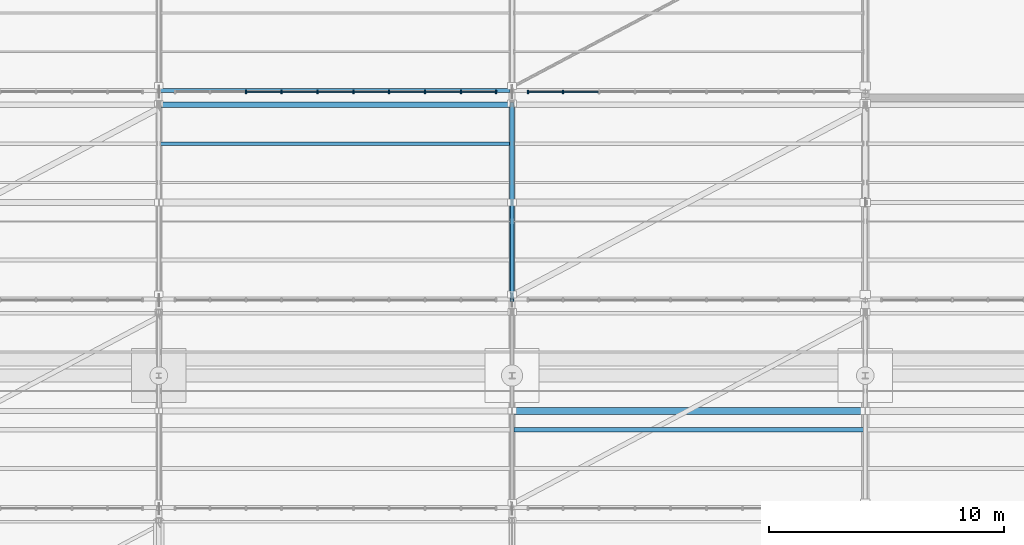
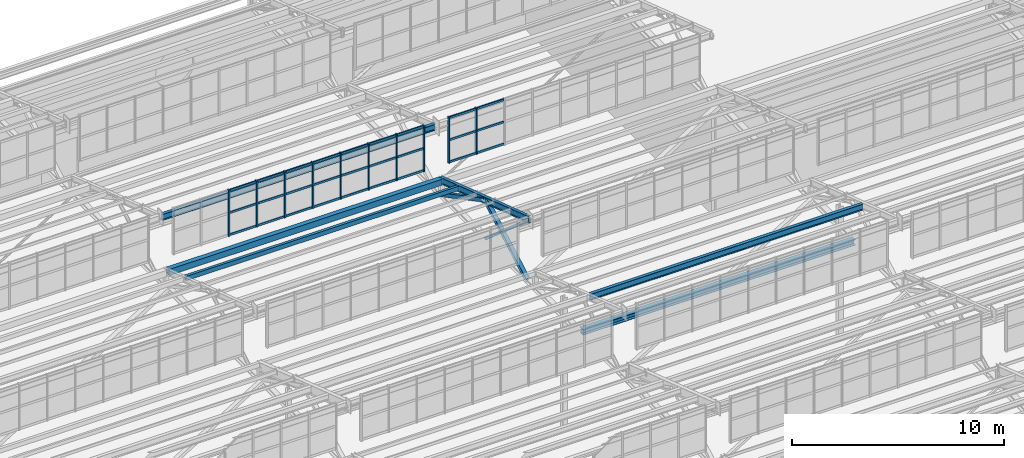
# One storey, part 73 of 285: 41 members, 5 beams, 2 elements without a shape of their own.
"""IFC4 building model written with IfcOpenShell, lengths in metres."""

from ifc_helpers import new_model, si_unit, direction, frame, origin, origin_2d, place, context, subcontext, project, spatial, rectangle, hollow_rectangle, i_section, extrude, material, material_profile, profile_set, type_object, element, aggregate, save


model = new_model("IFC4")

# Units and contexts
model_context = context("Model", 3, precision=1e-05, world=origin(), true_north=direction((0.0, 1.0)))
body_context = subcontext(model_context, "Body", "Model", "MODEL_VIEW")
ifc_project = project(units=[si_unit("LENGTHUNIT", "METRE"), si_unit("AREAUNIT", "SQUARE_METRE"), si_unit("VOLUMEUNIT", "CUBIC_METRE"), si_unit("PLANEANGLEUNIT", "RADIAN"), si_unit("MASSUNIT", "GRAM", prefix="KILO")], contexts=[model_context])

# Site, building, storey
site_placement = place(None, origin())
site = spatial("IfcSite", under=ifc_project, at=site_placement, CompositionType="ELEMENT")
building_placement = place(site_placement, origin())
building = spatial("IfcBuilding", under=site, at=building_placement, Name="Solanera Park Tramway Depot", CompositionType="ELEMENT")
storey_placement = place(building_placement, origin())
storey = spatial("IfcBuildingStorey", under=building, at=storey_placement, Name="L00", CompositionType="ELEMENT", Elevation=0.0)

# Curtain wall, members
ifc_material_1 = material(Name="Bronze-anodised thermally broken aluminium curtain wall", Category="aluminium")
curtain_wall_type = type_object("IfcCurtainWallType", Name="Sawtooth Clerestory Monitor Curtain Wall", PredefinedType="NOTDEFINED", material=ifc_material_1)
curtain_wall_1_placement = place(storey_placement, origin())
curtain_wall_1 = element("IfcCurtainWall", 1, at=curtain_wall_1_placement, inside=storey, type_object=curtain_wall_type, Name="L00 Sawtooth Clerestory Monitor Curtain Wall #061", PredefinedType="NOTDEFINED")
ifc_material_2 = material(Name="Bronze-anodised structural aluminium 6063-T6", Category="aluminium")
ifc_material_profile_1 = material_profile(ifc_material_2, rectangle(XDim=0.06494140625, YDim=0.14990234375, at=origin_2d()), Name="Curtain Wall Mullion 65x150")
ifc_profile_set_1 = profile_set([ifc_material_profile_1], Name="Bronze-anodised structural aluminium 6063-T6")
member_type_1 = type_object("IfcMemberType", Name="Curtain Wall Mullion 65x150", PredefinedType="MULLION", material=ifc_profile_set_1)
member_1_placement = place(storey_placement, frame((33.6943359375, 126.550048828125, 7.75), z_axis=(0.0, 0.0, 1.0), x_axis=(1.0, 0.0, 0.0)))
member_1 = element("IfcMember", 2, at=member_1_placement, type_object=member_type_1, Name="CW-L00-061 Mullion 3", PredefinedType="MULLION", context=body_context, shape_type="SweptSolid", body=[
    extrude(rectangle(XDim=0.06494140625, YDim=0.14990234375, at=origin_2d()), origin(), (0.0, 0.0, 1.0), 2.6611328125),
])
member_2_placement = place(storey_placement, frame((35.216796875, 126.550048828125, 7.75), z_axis=(0.0, 0.0, 1.0), x_axis=(1.0, 0.0, 0.0)))
member_2 = element("IfcMember", 3, at=member_2_placement, type_object=member_type_1, Name="CW-L00-061 Mullion 4", PredefinedType="MULLION", context=body_context, shape_type="SweptSolid", body=[
    extrude(rectangle(XDim=0.06494140625, YDim=0.14990234375, at=origin_2d()), origin(), (0.0, 0.0, 1.0), 2.6611328125),
])
member_3_placement = place(storey_placement, frame((36.739013671875, 126.550048828125, 7.75), z_axis=(0.0, 0.0, 1.0), x_axis=(1.0, 0.0, 0.0)))
member_3 = element("IfcMember", 4, at=member_3_placement, type_object=member_type_1, Name="CW-L00-061 Mullion 5", PredefinedType="MULLION", context=body_context, shape_type="SweptSolid", body=[
    extrude(rectangle(XDim=0.06494140625, YDim=0.14990234375, at=origin_2d()), origin(), (0.0, 0.0, 1.0), 2.6611328125),
])
member_4_placement = place(storey_placement, frame((38.260986328125, 126.550048828125, 7.75), z_axis=(0.0, 0.0, 1.0), x_axis=(1.0, 0.0, 0.0)))
member_4 = element("IfcMember", 5, at=member_4_placement, type_object=member_type_1, Name="CW-L00-061 Mullion 6", PredefinedType="MULLION", context=body_context, shape_type="SweptSolid", body=[
    extrude(rectangle(XDim=0.06494140625, YDim=0.14990234375, at=origin_2d()), origin(), (0.0, 0.0, 1.0), 2.6611328125),
])
member_5_placement = place(storey_placement, frame((39.783203125, 126.550048828125, 7.75), z_axis=(0.0, 0.0, 1.0), x_axis=(1.0, 0.0, 0.0)))
member_5 = element("IfcMember", 6, at=member_5_placement, type_object=member_type_1, Name="CW-L00-061 Mullion 7", PredefinedType="MULLION", context=body_context, shape_type="SweptSolid", body=[
    extrude(rectangle(XDim=0.06494140625, YDim=0.14990234375, at=origin_2d()), origin(), (0.0, 0.0, 1.0), 2.6611328125),
])
member_6_placement = place(storey_placement, frame((41.3056640625, 126.550048828125, 7.75), z_axis=(0.0, 0.0, 1.0), x_axis=(1.0, 0.0, 0.0)))
member_6 = element("IfcMember", 7, at=member_6_placement, type_object=member_type_1, Name="CW-L00-061 Mullion 8", PredefinedType="MULLION", context=body_context, shape_type="SweptSolid", body=[
    extrude(rectangle(XDim=0.06494140625, YDim=0.14990234375, at=origin_2d()), origin(), (0.0, 0.0, 1.0), 2.6611328125),
])
member_7_placement = place(storey_placement, frame((42.827880859375, 126.550048828125, 7.75), z_axis=(0.0, 0.0, 1.0), x_axis=(1.0, 0.0, 0.0)))
member_7 = element("IfcMember", 8, at=member_7_placement, type_object=member_type_1, Name="CW-L00-061 Mullion 9", PredefinedType="MULLION", context=body_context, shape_type="SweptSolid", body=[
    extrude(rectangle(XDim=0.06494140625, YDim=0.14990234375, at=origin_2d()), origin(), (0.0, 0.0, 1.0), 2.6611328125),
])
member_8_placement = place(storey_placement, frame((44.3173828125, 126.550048828125, 7.75), z_axis=(0.0, 0.0, 1.0), x_axis=(1.0, 0.0, 0.0)))
member_8 = element("IfcMember", 9, at=member_8_placement, type_object=member_type_1, Name="CW-L00-061 Mullion 10", PredefinedType="MULLION", context=body_context, shape_type="SweptSolid", body=[
    extrude(rectangle(XDim=0.06494140625, YDim=0.14990234375, at=origin_2d()), origin(), (0.0, 0.0, 1.0), 2.6611328125),
])

curtain_wall_2_placement = place(storey_placement, origin())
curtain_wall_2 = element("IfcCurtainWall", 10, at=curtain_wall_2_placement, inside=storey, type_object=curtain_wall_type, Name="L00 Sawtooth Clerestory Monitor Curtain Wall #062", PredefinedType="NOTDEFINED")
member_9_placement = place(storey_placement, frame((45.6826171875, 126.550048828125, 7.75), z_axis=(0.0, 0.0, 1.0), x_axis=(1.0, 0.0, 0.0)))
member_9 = element("IfcMember", 11, at=member_9_placement, type_object=member_type_1, Name="CW-L00-062 Mullion 1", PredefinedType="MULLION", context=body_context, shape_type="SweptSolid", body=[
    extrude(rectangle(XDim=0.06494140625, YDim=0.14990234375, at=origin_2d()), origin(), (0.0, 0.0, 1.0), 2.6611328125),
])
member_10_placement = place(storey_placement, frame((47.172119140625, 126.550048828125, 7.75), z_axis=(0.0, 0.0, 1.0), x_axis=(1.0, 0.0, 0.0)))
member_10 = element("IfcMember", 12, at=member_10_placement, type_object=member_type_1, Name="CW-L00-062 Mullion 2", PredefinedType="MULLION", context=body_context, shape_type="SweptSolid", body=[
    extrude(rectangle(XDim=0.06494140625, YDim=0.14990234375, at=origin_2d()), origin(), (0.0, 0.0, 1.0), 2.6611328125),
])

# Member
ifc_material_3 = material(Name="Bronze-anodised structural aluminium 6063-T6", Category="aluminium")
ifc_material_profile_2 = material_profile(ifc_material_3, rectangle(XDim=0.06494140625, YDim=0.1201171875, at=origin_2d()), Name="Curtain Wall Transom 65x120")
ifc_profile_set_2 = profile_set([ifc_material_profile_2], Name="Bronze-anodised structural aluminium 6063-T6")
member_type_2 = type_object("IfcMemberType", Name="Curtain Wall Transom 65x120", PredefinedType="USERDEFINED", material=ifc_profile_set_2)
member_11_placement = place(storey_placement, frame((33.722412109375, 126.550048828125, 7.81005859375), z_axis=(1.0, 0.0, 0.0), x_axis=(0.0, 1.0, 0.0)))
member_11 = element("IfcMember", 13, at=member_11_placement, type_object=member_type_2, Name="CW-L00-061 Transom R1.C3", ObjectType="TRANSOM", PredefinedType="USERDEFINED", context=body_context, shape_type="SweptSolid", body=[
    extrude(rectangle(XDim=0.06494140625, YDim=0.1201171875, at=origin_2d()), origin(), (0.0, 0.0, 1.0), 1.46630859375),
])

member_12_placement = place(storey_placement, frame((35.24462890625, 126.550048828125, 7.81005859375), z_axis=(1.0, 0.0, 0.0), x_axis=(0.0, 1.0, 0.0)))
member_12 = element("IfcMember", 14, at=member_12_placement, type_object=member_type_2, Name="CW-L00-061 Transom R1.C4", ObjectType="TRANSOM", PredefinedType="USERDEFINED", context=body_context, shape_type="SweptSolid", body=[
    extrude(rectangle(XDim=0.06494140625, YDim=0.1201171875, at=origin_2d()), origin(), (0.0, 0.0, 1.0), 1.46630859375),
])

member_13_placement = place(storey_placement, frame((36.766845703125, 126.550048828125, 7.81005859375), z_axis=(1.0, 0.0, 0.0), x_axis=(0.0, 1.0, 0.0)))
member_13 = element("IfcMember", 15, at=member_13_placement, type_object=member_type_2, Name="CW-L00-061 Transom R1.C5", ObjectType="TRANSOM", PredefinedType="USERDEFINED", context=body_context, shape_type="SweptSolid", body=[
    extrude(rectangle(XDim=0.06494140625, YDim=0.1201171875, at=origin_2d()), origin(), (0.0, 0.0, 1.0), 1.46630859375),
])

member_14_placement = place(storey_placement, frame((38.2890625, 126.550048828125, 7.81005859375), z_axis=(1.0, 0.0, 0.0), x_axis=(0.0, 1.0, 0.0)))
member_14 = element("IfcMember", 16, at=member_14_placement, type_object=member_type_2, Name="CW-L00-061 Transom R1.C6", ObjectType="TRANSOM", PredefinedType="USERDEFINED", context=body_context, shape_type="SweptSolid", body=[
    extrude(rectangle(XDim=0.06494140625, YDim=0.1201171875, at=origin_2d()), origin(), (0.0, 0.0, 1.0), 1.46630859375),
])

member_15_placement = place(storey_placement, frame((39.811279296875, 126.550048828125, 7.81005859375), z_axis=(1.0, 0.0, 0.0), x_axis=(0.0, 1.0, 0.0)))
member_15 = element("IfcMember", 17, at=member_15_placement, type_object=member_type_2, Name="CW-L00-061 Transom R1.C7", ObjectType="TRANSOM", PredefinedType="USERDEFINED", context=body_context, shape_type="SweptSolid", body=[
    extrude(rectangle(XDim=0.06494140625, YDim=0.1201171875, at=origin_2d()), origin(), (0.0, 0.0, 1.0), 1.46630859375),
])

member_16_placement = place(storey_placement, frame((41.33349609375, 126.550048828125, 7.81005859375), z_axis=(1.0, 0.0, 0.0), x_axis=(0.0, 1.0, 0.0)))
member_16 = element("IfcMember", 18, at=member_16_placement, type_object=member_type_2, Name="CW-L00-061 Transom R1.C8", ObjectType="TRANSOM", PredefinedType="USERDEFINED", context=body_context, shape_type="SweptSolid", body=[
    extrude(rectangle(XDim=0.06494140625, YDim=0.1201171875, at=origin_2d()), origin(), (0.0, 0.0, 1.0), 1.46630859375),
])

member_17_placement = place(storey_placement, frame((42.855712890625, 126.550048828125, 7.81005859375), z_axis=(1.0, 0.0, 0.0), x_axis=(0.0, 1.0, 0.0)))
member_17 = element("IfcMember", 19, at=member_17_placement, type_object=member_type_2, Name="CW-L00-061 Transom R1.C9", ObjectType="TRANSOM", PredefinedType="USERDEFINED", context=body_context, shape_type="SweptSolid", body=[
    extrude(rectangle(XDim=0.06494140625, YDim=0.1201171875, at=origin_2d()), origin(), (0.0, 0.0, 1.0), 1.433837890625),
])

member_18_placement = place(storey_placement, frame((33.722412109375, 126.550048828125, 9.08056640625), z_axis=(1.0, 0.0, 0.0), x_axis=(0.0, 1.0, 0.0)))
member_18 = element("IfcMember", 20, at=member_18_placement, type_object=member_type_2, Name="CW-L00-061 Transom R2.C3", ObjectType="TRANSOM", PredefinedType="USERDEFINED", context=body_context, shape_type="SweptSolid", body=[
    extrude(rectangle(XDim=0.06494140625, YDim=0.1201171875, at=origin_2d()), origin(), (0.0, 0.0, 1.0), 1.46630859375),
])

member_19_placement = place(storey_placement, frame((35.24462890625, 126.550048828125, 9.08056640625), z_axis=(1.0, 0.0, 0.0), x_axis=(0.0, 1.0, 0.0)))
member_19 = element("IfcMember", 21, at=member_19_placement, type_object=member_type_2, Name="CW-L00-061 Transom R2.C4", ObjectType="TRANSOM", PredefinedType="USERDEFINED", context=body_context, shape_type="SweptSolid", body=[
    extrude(rectangle(XDim=0.06494140625, YDim=0.1201171875, at=origin_2d()), origin(), (0.0, 0.0, 1.0), 1.46630859375),
])

member_20_placement = place(storey_placement, frame((36.766845703125, 126.550048828125, 9.08056640625), z_axis=(1.0, 0.0, 0.0), x_axis=(0.0, 1.0, 0.0)))
member_20 = element("IfcMember", 22, at=member_20_placement, type_object=member_type_2, Name="CW-L00-061 Transom R2.C5", ObjectType="TRANSOM", PredefinedType="USERDEFINED", context=body_context, shape_type="SweptSolid", body=[
    extrude(rectangle(XDim=0.06494140625, YDim=0.1201171875, at=origin_2d()), origin(), (0.0, 0.0, 1.0), 1.46630859375),
])

member_21_placement = place(storey_placement, frame((38.2890625, 126.550048828125, 9.08056640625), z_axis=(1.0, 0.0, 0.0), x_axis=(0.0, 1.0, 0.0)))
member_21 = element("IfcMember", 23, at=member_21_placement, type_object=member_type_2, Name="CW-L00-061 Transom R2.C6", ObjectType="TRANSOM", PredefinedType="USERDEFINED", context=body_context, shape_type="SweptSolid", body=[
    extrude(rectangle(XDim=0.06494140625, YDim=0.1201171875, at=origin_2d()), origin(), (0.0, 0.0, 1.0), 1.46630859375),
])

member_22_placement = place(storey_placement, frame((39.811279296875, 126.550048828125, 9.08056640625), z_axis=(1.0, 0.0, 0.0), x_axis=(0.0, 1.0, 0.0)))
member_22 = element("IfcMember", 24, at=member_22_placement, type_object=member_type_2, Name="CW-L00-061 Transom R2.C7", ObjectType="TRANSOM", PredefinedType="USERDEFINED", context=body_context, shape_type="SweptSolid", body=[
    extrude(rectangle(XDim=0.06494140625, YDim=0.1201171875, at=origin_2d()), origin(), (0.0, 0.0, 1.0), 1.46630859375),
])

member_23_placement = place(storey_placement, frame((41.33349609375, 126.550048828125, 9.08056640625), z_axis=(1.0, 0.0, 0.0), x_axis=(0.0, 1.0, 0.0)))
member_23 = element("IfcMember", 25, at=member_23_placement, type_object=member_type_2, Name="CW-L00-061 Transom R2.C8", ObjectType="TRANSOM", PredefinedType="USERDEFINED", context=body_context, shape_type="SweptSolid", body=[
    extrude(rectangle(XDim=0.06494140625, YDim=0.1201171875, at=origin_2d()), origin(), (0.0, 0.0, 1.0), 1.46630859375),
])

member_24_placement = place(storey_placement, frame((42.855712890625, 126.550048828125, 9.08056640625), z_axis=(1.0, 0.0, 0.0), x_axis=(0.0, 1.0, 0.0)))
member_24 = element("IfcMember", 26, at=member_24_placement, type_object=member_type_2, Name="CW-L00-061 Transom R2.C9", ObjectType="TRANSOM", PredefinedType="USERDEFINED", context=body_context, shape_type="SweptSolid", body=[
    extrude(rectangle(XDim=0.06494140625, YDim=0.1201171875, at=origin_2d()), origin(), (0.0, 0.0, 1.0), 1.433837890625),
])

member_25_placement = place(storey_placement, frame((33.722412109375, 126.550048828125, 10.351318359375), z_axis=(1.0, 0.0, 0.0), x_axis=(0.0, 1.0, 0.0)))
member_25 = element("IfcMember", 27, at=member_25_placement, type_object=member_type_2, Name="CW-L00-061 Transom R3.C3", ObjectType="TRANSOM", PredefinedType="USERDEFINED", context=body_context, shape_type="SweptSolid", body=[
    extrude(rectangle(XDim=0.06494140625, YDim=0.1201171875, at=origin_2d()), origin(), (0.0, 0.0, 1.0), 1.46630859375),
])

member_26_placement = place(storey_placement, frame((35.24462890625, 126.550048828125, 10.351318359375), z_axis=(1.0, 0.0, 0.0), x_axis=(0.0, 1.0, 0.0)))
member_26 = element("IfcMember", 28, at=member_26_placement, type_object=member_type_2, Name="CW-L00-061 Transom R3.C4", ObjectType="TRANSOM", PredefinedType="USERDEFINED", context=body_context, shape_type="SweptSolid", body=[
    extrude(rectangle(XDim=0.06494140625, YDim=0.1201171875, at=origin_2d()), origin(), (0.0, 0.0, 1.0), 1.46630859375),
])

member_27_placement = place(storey_placement, frame((36.766845703125, 126.550048828125, 10.351318359375), z_axis=(1.0, 0.0, 0.0), x_axis=(0.0, 1.0, 0.0)))
member_27 = element("IfcMember", 29, at=member_27_placement, type_object=member_type_2, Name="CW-L00-061 Transom R3.C5", ObjectType="TRANSOM", PredefinedType="USERDEFINED", context=body_context, shape_type="SweptSolid", body=[
    extrude(rectangle(XDim=0.06494140625, YDim=0.1201171875, at=origin_2d()), origin(), (0.0, 0.0, 1.0), 1.46630859375),
])

member_28_placement = place(storey_placement, frame((38.2890625, 126.550048828125, 10.351318359375), z_axis=(1.0, 0.0, 0.0), x_axis=(0.0, 1.0, 0.0)))
member_28 = element("IfcMember", 30, at=member_28_placement, type_object=member_type_2, Name="CW-L00-061 Transom R3.C6", ObjectType="TRANSOM", PredefinedType="USERDEFINED", context=body_context, shape_type="SweptSolid", body=[
    extrude(rectangle(XDim=0.06494140625, YDim=0.1201171875, at=origin_2d()), origin(), (0.0, 0.0, 1.0), 1.46630859375),
])

member_29_placement = place(storey_placement, frame((39.811279296875, 126.550048828125, 10.351318359375), z_axis=(1.0, 0.0, 0.0), x_axis=(0.0, 1.0, 0.0)))
member_29 = element("IfcMember", 31, at=member_29_placement, type_object=member_type_2, Name="CW-L00-061 Transom R3.C7", ObjectType="TRANSOM", PredefinedType="USERDEFINED", context=body_context, shape_type="SweptSolid", body=[
    extrude(rectangle(XDim=0.06494140625, YDim=0.1201171875, at=origin_2d()), origin(), (0.0, 0.0, 1.0), 1.46630859375),
])

member_30_placement = place(storey_placement, frame((41.33349609375, 126.550048828125, 10.351318359375), z_axis=(1.0, 0.0, 0.0), x_axis=(0.0, 1.0, 0.0)))
member_30 = element("IfcMember", 32, at=member_30_placement, type_object=member_type_2, Name="CW-L00-061 Transom R3.C8", ObjectType="TRANSOM", PredefinedType="USERDEFINED", context=body_context, shape_type="SweptSolid", body=[
    extrude(rectangle(XDim=0.06494140625, YDim=0.1201171875, at=origin_2d()), origin(), (0.0, 0.0, 1.0), 1.46630859375),
])

member_31_placement = place(storey_placement, frame((42.855712890625, 126.550048828125, 10.351318359375), z_axis=(1.0, 0.0, 0.0), x_axis=(0.0, 1.0, 0.0)))
member_31 = element("IfcMember", 33, at=member_31_placement, type_object=member_type_2, Name="CW-L00-061 Transom R3.C9", ObjectType="TRANSOM", PredefinedType="USERDEFINED", context=body_context, shape_type="SweptSolid", body=[
    extrude(rectangle(XDim=0.06494140625, YDim=0.1201171875, at=origin_2d()), origin(), (0.0, 0.0, 1.0), 1.433837890625),
])

aggregate(curtain_wall_1, [member_1, member_2, member_3, member_4, member_5, member_6, member_7, member_8, member_11, member_12, member_13, member_14, member_15, member_16, member_17, member_18, member_19, member_20, member_21, member_22, member_23, member_24, member_25, member_26, member_27, member_28, member_29, member_30, member_31])

member_32_placement = place(storey_placement, frame((45.71044921875, 126.550048828125, 7.81005859375), z_axis=(1.0, 0.0, 0.0), x_axis=(0.0, 1.0, 0.0)))
member_32 = element("IfcMember", 34, at=member_32_placement, type_object=member_type_2, Name="CW-L00-062 Transom R1.C1", ObjectType="TRANSOM", PredefinedType="USERDEFINED", context=body_context, shape_type="SweptSolid", body=[
    extrude(rectangle(XDim=0.06494140625, YDim=0.1201171875, at=origin_2d()), origin(), (0.0, 0.0, 1.0), 1.433837890625),
])

member_33_placement = place(storey_placement, frame((47.2001953125, 126.550048828125, 7.81005859375), z_axis=(1.0, 0.0, 0.0), x_axis=(0.0, 1.0, 0.0)))
member_33 = element("IfcMember", 35, at=member_33_placement, type_object=member_type_2, Name="CW-L00-062 Transom R1.C2", ObjectType="TRANSOM", PredefinedType="USERDEFINED", context=body_context, shape_type="SweptSolid", body=[
    extrude(rectangle(XDim=0.06494140625, YDim=0.1201171875, at=origin_2d()), origin(), (0.0, 0.0, 1.0), 1.46630859375),
])

member_34_placement = place(storey_placement, frame((45.71044921875, 126.550048828125, 9.08056640625), z_axis=(1.0, 0.0, 0.0), x_axis=(0.0, 1.0, 0.0)))
member_34 = element("IfcMember", 36, at=member_34_placement, type_object=member_type_2, Name="CW-L00-062 Transom R2.C1", ObjectType="TRANSOM", PredefinedType="USERDEFINED", context=body_context, shape_type="SweptSolid", body=[
    extrude(rectangle(XDim=0.06494140625, YDim=0.1201171875, at=origin_2d()), origin(), (0.0, 0.0, 1.0), 1.433837890625),
])

member_35_placement = place(storey_placement, frame((47.2001953125, 126.550048828125, 9.08056640625), z_axis=(1.0, 0.0, 0.0), x_axis=(0.0, 1.0, 0.0)))
member_35 = element("IfcMember", 37, at=member_35_placement, type_object=member_type_2, Name="CW-L00-062 Transom R2.C2", ObjectType="TRANSOM", PredefinedType="USERDEFINED", context=body_context, shape_type="SweptSolid", body=[
    extrude(rectangle(XDim=0.06494140625, YDim=0.1201171875, at=origin_2d()), origin(), (0.0, 0.0, 1.0), 1.46630859375),
])

member_36_placement = place(storey_placement, frame((45.71044921875, 126.550048828125, 10.351318359375), z_axis=(1.0, 0.0, 0.0), x_axis=(0.0, 1.0, 0.0)))
member_36 = element("IfcMember", 38, at=member_36_placement, type_object=member_type_2, Name="CW-L00-062 Transom R3.C1", ObjectType="TRANSOM", PredefinedType="USERDEFINED", context=body_context, shape_type="SweptSolid", body=[
    extrude(rectangle(XDim=0.06494140625, YDim=0.1201171875, at=origin_2d()), origin(), (0.0, 0.0, 1.0), 1.433837890625),
])

member_37_placement = place(storey_placement, frame((47.2001953125, 126.550048828125, 10.351318359375), z_axis=(1.0, 0.0, 0.0), x_axis=(0.0, 1.0, 0.0)))
member_37 = element("IfcMember", 39, at=member_37_placement, type_object=member_type_2, Name="CW-L00-062 Transom R3.C2", ObjectType="TRANSOM", PredefinedType="USERDEFINED", context=body_context, shape_type="SweptSolid", body=[
    extrude(rectangle(XDim=0.06494140625, YDim=0.1201171875, at=origin_2d()), origin(), (0.0, 0.0, 1.0), 1.46630859375),
])

aggregate(curtain_wall_2, [member_9, member_10, member_32, member_33, member_34, member_35, member_36, member_37])

# Members
ifc_material_4 = material(Name="Steel AS/NZS 3679.1 Grade 350", Category="steel")
ifc_material_profile_3 = material_profile(ifc_material_4, i_section(OverallWidth=0.205078125, OverallDepth=0.209716796875, WebThickness=0.00927734375, FlangeThickness=0.01416015625, at=origin_2d()), Name="200UC59.5")
ifc_profile_set_3 = profile_set([ifc_material_profile_3], Name="Steel AS/NZS 3679.1 Grade 350")
member_type_3 = type_object("IfcMemberType", Name="Roof Gantry Compression Strut 200UC59.5", PredefinedType="STRUT", material=ifc_profile_set_3)
member_38_placement = place(storey_placement, frame((45.0, 117.949951171875, 6.5), z_axis=(0.0, 0.869215843308, 0.494432824297), x_axis=(-1.0, 0.0, 0.0)))
element("IfcMember", 40, at=member_38_placement, inside=storey, type_object=member_type_3, Name="Sawtooth ROOF TRUSS Strut 200UC59.5 #0331", PredefinedType="STRUT", context=body_context, shape_type="SweptSolid", body=[
    extrude(i_section(OverallWidth=0.205078125, OverallDepth=0.209716796875, WebThickness=0.00927734375, FlangeThickness=0.01416015625, at=origin_2d()), origin(), (0.0, 0.0, 1.0), 4.487060546875),
])
ifc_material_5 = material(Name="Steel AS/NZS 3679.1 Grade 350", Category="steel")
ifc_material_profile_4 = material_profile(ifc_material_5, i_section(OverallWidth=0.306884765625, OverallDepth=0.314697265625, WebThickness=0.011962890625, FlangeThickness=0.018798828125, at=origin_2d()), Name="310UC118")
ifc_profile_set_4 = profile_set([ifc_material_profile_4], Name="Steel AS/NZS 3679.1 Grade 350")
member_type_4 = type_object("IfcMemberType", Name="Secondary Truss Chord 310UC118", PredefinedType="CHORD", material=ifc_profile_set_4)
member_39_placement = place(storey_placement, frame((45.087890625, 113.0, 6.5), z_axis=(1.0, 0.0, 0.0), x_axis=(0.0, 1.0, 0.0)))
element("IfcMember", 41, at=member_39_placement, inside=storey, type_object=member_type_4, Name="Sawtooth Longitudinal Tie Chord 310UC118 #0310", PredefinedType="CHORD", context=body_context, shape_type="SweptSolid", body=[
    extrude(i_section(OverallWidth=0.306884765625, OverallDepth=0.314697265625, WebThickness=0.011962890625, FlangeThickness=0.018798828125, at=origin_2d()), origin(), (0.0, 0.0, 1.0), 14.82421875),
])

# Beams
ifc_material_6 = material(Name="Steel AS/NZS 3679.1 Grade 350", Category="steel")
ifc_material_profile_5 = material_profile(ifc_material_6, i_section(OverallWidth=0.17138671875, OverallDepth=0.355712890625, WebThickness=0.00732421875, FlangeThickness=0.011474609375, at=origin_2d()), Name="360UB50.7")
ifc_profile_set_5 = profile_set([ifc_material_profile_5], Name="Steel AS/NZS 3679.1 Grade 350")
beam_type_1 = type_object("IfcBeamType", Name="Steel Beam 360UB50.7", PredefinedType="BEAM", material=ifc_profile_set_5)
beam_1_placement = place(storey_placement, frame((45.0, 117.699951171875, 10.10693359375), z_axis=(0.0, 0.948322229475, -0.317308917435), x_axis=(-1.0, 0.0, 0.0)))
element("IfcBeam", 42, at=beam_1_placement, inside=storey, type_object=beam_type_1, Name="Sawtooth ROOF TRUSS Top Rafter 360UB50.7 B08-T4", PredefinedType="BEAM", context=body_context, shape_type="SweptSolid", body=[
    extrude(i_section(OverallWidth=0.17138671875, OverallDepth=0.355712890625, WebThickness=0.00732421875, FlangeThickness=0.011474609375, at=origin_2d()), origin(), (0.0, 0.0, 1.0), 8.80517578125),
])
ifc_material_7 = material(Name="Steel AS/NZS 1163 Grade C350L0", Category="steel")
ifc_material_profile_6 = material_profile(ifc_material_7, hollow_rectangle(XDim=0.14990234375, YDim=0.25, WallThickness=0.008056640625, at=origin_2d()), Name="250x150x8.0 RHS")
ifc_profile_set_6 = profile_set([ifc_material_profile_6], Name="Steel AS/NZS 1163 Grade C350L0")
beam_type_2 = type_object("IfcBeamType", Name="Steel Joist Purlin 250x150x8.0 RHS", PredefinedType="JOIST", material=ifc_profile_set_6)
beam_2_placement = place(storey_placement, frame((30.074951171875, 124.35009765625, 7.931640625), z_axis=(1.0, 0.0, 0.0), x_axis=(0.0, 1.0, 0.0)))
element("IfcBeam", 43, at=beam_2_placement, inside=storey, type_object=beam_type_2, Name="Sawtooth Roof Purlin 250x150x8.0 RHS B08.5", PredefinedType="JOIST", context=body_context, shape_type="SweptSolid", body=[
    extrude(hollow_rectangle(XDim=0.14990234375, YDim=0.25, WallThickness=0.008056640625, at=origin_2d()), origin(), (0.0, 0.0, 1.0), 14.84716796875),
])
ifc_material_8 = material(Name="Steel AS/NZS 1163 Grade C350L0", Category="steel")
ifc_material_profile_7 = material_profile(ifc_material_8, hollow_rectangle(XDim=0.25, YDim=0.35009765625, WallThickness=0.010009765625, at=origin_2d()), Name="350x250x10.0 RHS")
ifc_profile_set_7 = profile_set([ifc_material_profile_7], Name="Steel AS/NZS 1163 Grade C350L0")
beam_type_3 = type_object("IfcBeamType", Name="Steel Joist Purlin 350x250x10.0 RHS", PredefinedType="JOIST", material=ifc_profile_set_7)
beam_3_placement = place(storey_placement, frame((30.074951171875, 126.0, 7.312744140625), z_axis=(1.0, 0.0, 0.0), x_axis=(0.0, 1.0, 0.0)))
element("IfcBeam", 44, at=beam_3_placement, inside=storey, type_object=beam_type_3, Name="Sawtooth Roof Purlin 350x250x10.0 RHS B08.6", PredefinedType="JOIST", context=body_context, shape_type="SweptSolid", body=[
    extrude(hollow_rectangle(XDim=0.25, YDim=0.35009765625, WallThickness=0.010009765625, at=origin_2d()), origin(), (0.0, 0.0, 1.0), 14.84716796875),
])
ifc_material_9 = material(Name="Steel AS/NZS 3679.1 Grade 350", Category="steel")
ifc_material_profile_8 = material_profile(ifc_material_9, i_section(OverallWidth=0.17138671875, OverallDepth=0.355712890625, WebThickness=0.00732421875, FlangeThickness=0.011474609375, at=origin_2d()), Name="360UB50.7")
ifc_profile_set_8 = profile_set([ifc_material_profile_8], Name="Steel AS/NZS 3679.1 Grade 350")
beam_type_4 = type_object("IfcBeamType", Name="Steel Joist Purlin 360UB50.7", PredefinedType="JOIST", material=ifc_profile_set_8)
for number, where, z_axis, x_axis, name in (
    (45, (45.074951171875, 112.199951171875, 8.9794921875), (1.0, 0.0, 0.0), (0.0, 1.0, 0.0), "Sawtooth Roof Purlin 360UB50.7 B07.3"),
    (46, (30.074951171875, 126.60009765625, 10.08349609375), (1.0, 0.0, 0.0), (0.0, 1.0, 0.0), "Sawtooth Roof Purlin 360UB50.7 B09.1"),
):
    element("IfcBeam", number, at=place(storey_placement, frame(where, z_axis=z_axis, x_axis=x_axis)), inside=storey, type_object=beam_type_4, Name=name, PredefinedType="JOIST", context=body_context, shape_type="SweptSolid", body=[
        extrude(i_section(OverallWidth=0.17138671875, OverallDepth=0.355712890625, WebThickness=0.00732421875, FlangeThickness=0.011474609375, at=origin_2d()), origin(), (0.0, 0.0, 1.0), 14.84716796875),
    ])

# Members
ifc_material_10 = material(Name="Steel AS/NZS 1163 Grade C350L0", Category="steel")
ifc_material_profile_9 = material_profile(ifc_material_10, hollow_rectangle(XDim=0.14990234375, YDim=0.14990234375, WallThickness=0.006103515625, at=origin_2d()), Name="150x150x6.0 SHS")
ifc_profile_set_9 = profile_set([ifc_material_profile_9], Name="Steel AS/NZS 1163 Grade C350L0")
member_type_5 = type_object("IfcMemberType", Name="Truss and Frame Brace 150x150x6.0 SHS", PredefinedType="BRACE", material=ifc_profile_set_9)
member_40_placement = place(storey_placement, frame((45.0, 121.85009765625, 6.5), z_axis=(0.0, -0.754775645554, 0.655983021791), x_axis=(1.0, 0.0, 0.0)))
element("IfcMember", 47, at=member_40_placement, inside=storey, type_object=member_type_5, Name="Sawtooth ROOF TRUSS Web Brace 150x150x6.0 SHS #0329", PredefinedType="BRACE", context=body_context, shape_type="SweptSolid", body=[
    extrude(hollow_rectangle(XDim=0.14990234375, YDim=0.14990234375, WallThickness=0.006103515625, at=origin_2d()), origin(), (0.0, 0.0, 1.0), 5.49853515625),
])
ifc_material_11 = material(Name="Steel AS/NZS 1163 Grade C350L0", Category="steel")
ifc_material_profile_10 = material_profile(ifc_material_11, hollow_rectangle(XDim=0.199951171875, YDim=0.199951171875, WallThickness=0.008056640625, at=origin_2d()), Name="200x200x8.0 SHS")
ifc_profile_set_10 = profile_set([ifc_material_profile_10], Name="Steel AS/NZS 1163 Grade C350L0")
member_type_6 = type_object("IfcMemberType", Name="Truss and Frame Brace 200x200x8.0 SHS", PredefinedType="BRACE", material=ifc_profile_set_10)
member_41_placement = place(storey_placement, frame((45.0, 126.050048828125, 6.5), z_axis=(0.0, -0.884222622593, 0.467065684561), x_axis=(1.0, 0.0, 0.0)))
element("IfcMember", 48, at=member_41_placement, inside=storey, type_object=member_type_6, Name="Sawtooth ROOF TRUSS Diagonal 200x200x8.0 SHS #0330", PredefinedType="BRACE", context=body_context, shape_type="SweptSolid", body=[
    extrude(hollow_rectangle(XDim=0.199951171875, YDim=0.199951171875, WallThickness=0.008056640625, at=origin_2d()), origin(), (0.0, 0.0, 1.0), 4.75),
])

save(model, "model.ifc")
